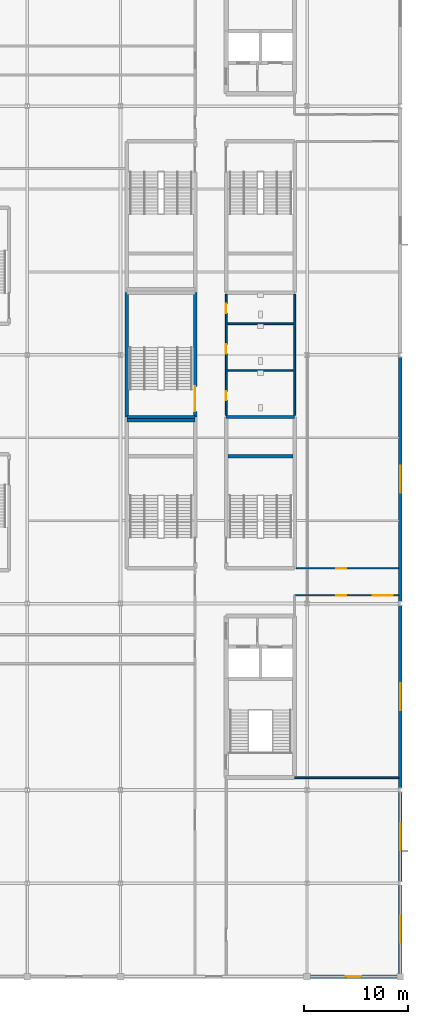
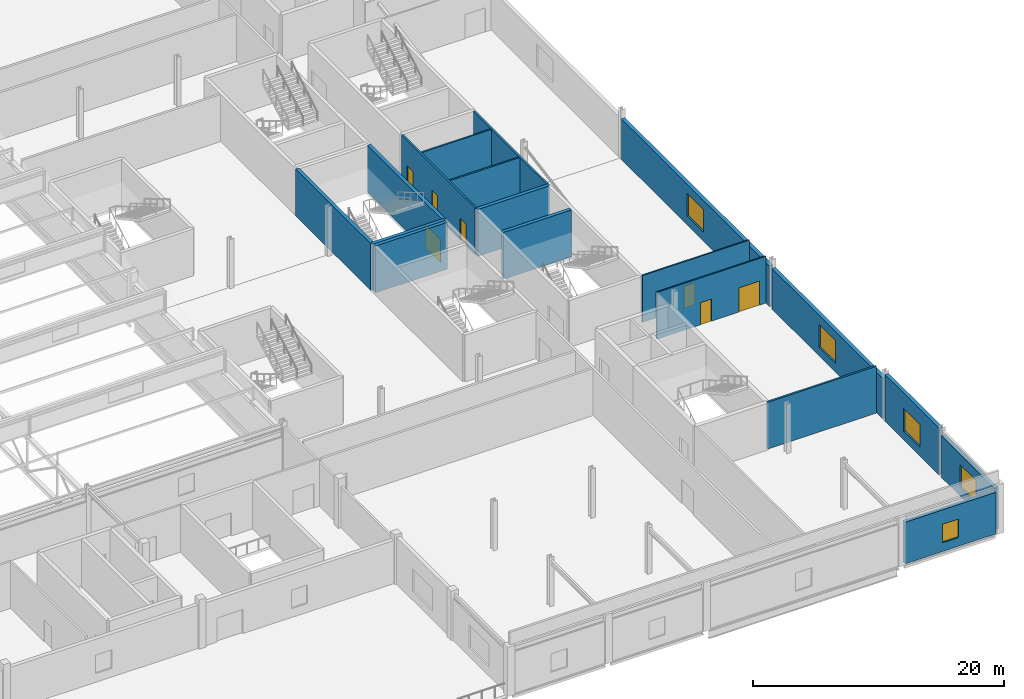
# One storey, part 105 of 136: 18 walls, 7 doors, 5 windows, 12 openings.
"""IFC4 building model written with IfcOpenShell, lengths in metres."""

from ifc_helpers import new_model, si_unit, direction, frame, frame_2d, origin, place, context, subcontext, project, spatial, rectangle, extrude, material, layer, layer_set, type_object, element, fill, save


model = new_model("IFC4")

# Units and contexts
model_context = context("Model", 3, precision=1e-05, world=origin(), true_north=direction((0.0, 1.0)))
body_context = subcontext(model_context, "Body", "Model", "MODEL_VIEW")
ifc_project = project(units=[si_unit("LENGTHUNIT", "METRE"), si_unit("AREAUNIT", "SQUARE_METRE"), si_unit("VOLUMEUNIT", "CUBIC_METRE"), si_unit("PLANEANGLEUNIT", "RADIAN"), si_unit("MASSUNIT", "GRAM", prefix="KILO")], contexts=[model_context])

# Site, building, storey
site_placement = place(None, origin())
site = spatial("IfcSite", under=ifc_project, at=site_placement, CompositionType="ELEMENT")
building_placement = place(site_placement, origin())
building = spatial("IfcBuilding", under=site, at=building_placement, Name="Kisiwana Market Hall", CompositionType="ELEMENT")
storey_placement = place(building_placement, frame((0.0, 0.0, 16.800048828125)))
storey = spatial("IfcBuildingStorey", under=building, at=storey_placement, Name="L03", CompositionType="ELEMENT", Elevation=16.800048828125)

# Walls
ifc_material_1 = material(Name="Concrete C40/50", Category="concrete")
ifc_layer_1 = layer(ifc_material_1, 0.320068359375, Name="Reinforced concrete shaft wall")
ifc_layer_set_1 = layer_set([ifc_layer_1], Name="WL-CORE-320")
wall_type_1 = type_object("IfcWallType", Name="WL-CORE-320", PredefinedType="SHEAR", material=ifc_layer_set_1)
wall_1_placement = place(storey_placement, frame((181.199951171875, 54.0, 0.0), z_axis=(0.0, 0.0, 1.0), x_axis=(1.0, 0.0, 0.0)))
element("IfcWall", 1, at=wall_1_placement, inside=storey, type_object=wall_type_1, Name="Core E3 north shear wall W-1253", PredefinedType="SHEAR", context=body_context, shape_type="SweptSolid", body=[
    extrude(rectangle(XDim=6.60009765625, YDim=0.320068359375, at=frame_2d((3.300048828125, 0.0))), origin(), (0.0, 0.0, 1.0), 4.554931640625),
])
wall_2_placement = place(storey_placement, frame((181.360107421875, 50.219970703125, 0.0), z_axis=(0.0, 0.0, 1.0), x_axis=(1.0, 0.0, 0.0)))
element("IfcWall", 2, at=wall_2_placement, inside=storey, type_object=wall_type_1, Name="Core E3 riser divider shear wall W-1256", PredefinedType="SHEAR", context=body_context, shape_type="SweptSolid", body=[
    extrude(rectangle(XDim=6.27978515625, YDim=0.320068359375, at=frame_2d((3.139892578125, 0.0))), origin(), (0.0, 0.0, 1.0), 4.554931640625),
])
for number, where, z_axis, x_axis, name in (
    (3, (171.60009765625, 54.0, 0.0), (0.0, 0.0, 1.0), (1.0, 0.0, 0.0), "Core E7 north shear wall W-1268"),
    (4, (171.60009765625, 53.679931640625, 0.0), (0.0, 0.0, 1.0), (1.0, 0.0, 0.0), "Core E5 south shear wall W-1302"),
):
    element("IfcWall", number, at=place(storey_placement, frame(where, z_axis=z_axis, x_axis=x_axis)), inside=storey, type_object=wall_type_1, Name=name, PredefinedType="SHEAR", context=body_context, shape_type="SweptSolid", body=[
        extrude(rectangle(XDim=6.599853515625, YDim=0.320068359375, at=frame_2d((3.2998046875, 0.0))), origin(), (0.0, 0.0, 1.0), 4.554931640625),
    ])
wall_3_placement = place(storey_placement, frame((171.60009765625, 54.0, 0.0), z_axis=(0.0, 0.0, 1.0), x_axis=(0.0, 1.0, 0.0)))
element("IfcWall", 5, at=wall_3_placement, inside=storey, type_object=wall_type_1, Name="Core E5 outer shear wall W-1304", PredefinedType="SHEAR", context=body_context, shape_type="SweptSolid", body=[
    extrude(rectangle(XDim=12.0, YDim=0.320068359375, at=frame_2d((6.0, 0.0))), origin(), (0.0, 0.0, 1.0), 4.554931640625),
])

# Wall, opening, door
wall_4_placement = place(storey_placement, frame((178.199951171875, 54.0, 0.0), z_axis=(0.0, 0.0, 1.0), x_axis=(0.0, 1.0, 0.0)))
wall_4 = element("IfcWall", 6, at=wall_4_placement, inside=storey, type_object=wall_type_1, Name="Core E5 corridor shear wall W-1305", PredefinedType="SHEAR", context=body_context, shape_type="SweptSolid", body=[
    extrude(rectangle(XDim=12.0, YDim=0.320068359375, at=frame_2d((6.0, 0.0))), origin(), (0.0, 0.0, 1.0), 4.554931640625),
])
opening_1_placement = place(wall_4_placement, frame((0.550048828125, 0.0, 0.0)))
opening_1 = element("IfcOpeningElement", 7, at=opening_1_placement, cuts=wall_4, Name="Opening DR-L03-032", PredefinedType="OPENING", context=body_context, shape_type="SweptSolid", body=[
    extrude(rectangle(XDim=2.39990234375, YDim=2.25, at=frame_2d((1.199951171875, 1.125))), frame((0.0, 0.171875, 0.0), z_axis=(0.0, -1.0, 0.0), x_axis=(1.0, 0.0, 0.0)), (0.0, 0.0, 1.0), 0.343994140625),
])
ifc_material_2 = material(Name="Steel S275", Category="steel")
door_type_1 = type_object("IfcDoorType", Name="DR-STAIR-FD120-2400", OperationType="DOUBLE_DOOR_SINGLE_SWING", PredefinedType="DOOR", material=ifc_material_2)
door_1_placement = place(opening_1_placement, origin())
door_1 = element("IfcDoor", 8, at=door_1_placement, inside=storey, type_object=door_type_1, Name="Escape Stair E5 Fire Door (L03)", OperationType="DOUBLE_DOOR_SINGLE_SWING", OverallHeight=2.25, OverallWidth=2.39990234375, PredefinedType="DOOR", context=body_context, shape_type="SweptSolid", body=[
    extrude(rectangle(XDim=2.39990234375, YDim=2.25, at=frame_2d((1.199951171875, 1.125))), frame((0.0, 0.02490234375, 0.0), z_axis=(0.0, -1.0, 0.0), x_axis=(1.0, 0.0, 0.0)), (0.0, 0.0, 1.0), 0.050048828125),
])
fill(opening_1, door_1)

# Wall
ifc_material_3 = material(Name="Masonry blockwork", Category="masonry")
ifc_layer_2 = layer(ifc_material_3, 0.169921875, Name="Protected corridor partition")
ifc_layer_set_2 = layer_set([ifc_layer_2], Name="WL-CORR-170")
wall_type_2 = type_object("IfcWallType", Name="WL-CORR-170", PredefinedType="PARTITIONING", material=ifc_layer_set_2)
wall_5_placement = place(storey_placement, frame((187.800048828125, 54.159912109375, 0.0), z_axis=(0.0, 0.0, 1.0), x_axis=(0.0, 1.0, 0.0)))
element("IfcWall", 9, at=wall_5_placement, inside=storey, type_object=wall_type_2, Name="Interior partition W-1467", PredefinedType="PARTITIONING", context=body_context, shape_type="SweptSolid", body=[
    extrude(rectangle(XDim=11.68017578125, YDim=0.169921875, at=frame_2d((5.840087890625, 0.0))), origin(), (0.0, 0.0, 1.0), 4.554931640625),
])

# Wall, openings, doors
wall_6_placement = place(storey_placement, frame((181.199951171875, 54.159912109375, 0.0), z_axis=(0.0, 0.0, 1.0), x_axis=(0.0, 1.0, 0.0)))
wall_6 = element("IfcWall", 10, at=wall_6_placement, inside=storey, type_object=wall_type_2, Name="Interior partition W-1468", PredefinedType="PARTITIONING", context=body_context, shape_type="SweptSolid", body=[
    extrude(rectangle(XDim=11.68017578125, YDim=0.169921875, at=frame_2d((5.840087890625, 0.0))), origin(), (0.0, 0.0, 1.0), 4.554931640625),
])
opening_2_placement = place(wall_6_placement, frame((1.43994140625, 0.0, 0.0)))
opening_2 = element("IfcOpeningElement", 11, at=opening_2_placement, cuts=wall_6, Name="Opening DR-L03-064", PredefinedType="OPENING", context=body_context, shape_type="SweptSolid", body=[
    extrude(rectangle(XDim=0.89990234375, YDim=2.10009765625, at=frame_2d((0.449951171875, 1.050048828125))), frame((0.0, 0.096923828125, 0.0), z_axis=(0.0, -1.0, 0.0), x_axis=(1.0, 0.0, 0.0)), (0.0, 0.0, 1.0), 0.19384765625),
])
opening_3_placement = place(wall_6_placement, frame((5.93994140625, 0.0, 0.0)))
opening_3 = element("IfcOpeningElement", 12, at=opening_3_placement, cuts=wall_6, Name="Opening DR-L03-065", PredefinedType="OPENING", context=body_context, shape_type="SweptSolid", body=[
    extrude(rectangle(XDim=0.89990234375, YDim=2.10009765625, at=frame_2d((0.449951171875, 1.050048828125))), frame((0.0, 0.096923828125, 0.0), z_axis=(0.0, -1.0, 0.0), x_axis=(1.0, 0.0, 0.0)), (0.0, 0.0, 1.0), 0.19384765625),
])
opening_4_placement = place(wall_6_placement, frame((9.840087890625, 0.0, 0.0)))
opening_4 = element("IfcOpeningElement", 13, at=opening_4_placement, cuts=wall_6, Name="Opening DR-L03-066", PredefinedType="OPENING", context=body_context, shape_type="SweptSolid", body=[
    extrude(rectangle(XDim=0.949951171875, YDim=2.10009765625, at=frame_2d((0.47509765625, 1.050048828125))), frame((0.0, 0.096923828125, 0.0), z_axis=(0.0, -1.0, 0.0), x_axis=(1.0, 0.0, 0.0)), (0.0, 0.0, 1.0), 0.19384765625),
])
ifc_material_4 = material(Name="Aluminium alloy 6063-T6", Category="aluminium")
door_type_2 = type_object("IfcDoorType", Name="DR-WC-ACC-950", OperationType="NOTDEFINED", PredefinedType="DOOR", material=ifc_material_4)
door_2_placement = place(opening_4_placement, frame((0.949951171875, 0.0, 0.0), z_axis=(0.0, 0.0, 1.0), x_axis=(-1.0, 0.0, 0.0)))
door_2 = element("IfcDoor", 14, at=door_2_placement, inside=storey, type_object=door_type_2, Name="L03 E Accessible WC Door", OperationType="SINGLE_SWING_LEFT", OverallHeight=2.10009765625, OverallWidth=0.949951171875, PredefinedType="DOOR", context=body_context, shape_type="SweptSolid", body=[
    extrude(rectangle(XDim=0.949951171875, YDim=2.10009765625, at=frame_2d((0.47509765625, 1.050048828125))), frame((0.0, 0.02490234375, 0.0), z_axis=(0.0, -1.0, 0.0), x_axis=(1.0, 0.0, 0.0)), (0.0, 0.0, 1.0), 0.050048828125),
])
fill(opening_4, door_2)
ifc_material_5 = material(Name="Aluminium alloy 6063-T6", Category="aluminium")
door_type_3 = type_object("IfcDoorType", Name="DR-WC-STD-900", OperationType="NOTDEFINED", PredefinedType="DOOR", material=ifc_material_5)
door_3_placement = place(opening_2_placement, frame((0.89990234375, 0.0, 0.0), z_axis=(0.0, 0.0, 1.0), x_axis=(-1.0, 0.0, 0.0)))
door_3 = element("IfcDoor", 15, at=door_3_placement, inside=storey, type_object=door_type_3, Name="L03 E Male Toilet Door", OperationType="SINGLE_SWING_RIGHT", OverallHeight=2.10009765625, OverallWidth=0.89990234375, PredefinedType="DOOR", context=body_context, shape_type="SweptSolid", body=[
    extrude(rectangle(XDim=0.89990234375, YDim=2.10009765625, at=frame_2d((0.449951171875, 1.050048828125))), frame((0.0, 0.02490234375, 0.0), z_axis=(0.0, -1.0, 0.0), x_axis=(1.0, 0.0, 0.0)), (0.0, 0.0, 1.0), 0.050048828125),
])
fill(opening_2, door_3)
door_4_placement = place(opening_3_placement, frame((0.89990234375, 0.0, 0.0), z_axis=(0.0, 0.0, 1.0), x_axis=(-1.0, 0.0, 0.0)))
door_4 = element("IfcDoor", 16, at=door_4_placement, inside=storey, type_object=door_type_3, Name="L03 E Female Toilet Door", OperationType="SINGLE_SWING_LEFT", OverallHeight=2.10009765625, OverallWidth=0.89990234375, PredefinedType="DOOR", context=body_context, shape_type="SweptSolid", body=[
    extrude(rectangle(XDim=0.89990234375, YDim=2.10009765625, at=frame_2d((0.449951171875, 1.050048828125))), frame((0.0, 0.02490234375, 0.0), z_axis=(0.0, -1.0, 0.0), x_axis=(1.0, 0.0, 0.0)), (0.0, 0.0, 1.0), 0.050048828125),
])
fill(opening_3, door_4)

# Wall
wall_7_placement = place(storey_placement, frame((187.800048828125, 19.199951171875, 0.0), z_axis=(0.0, 0.0, 1.0), x_axis=(1.0, 0.0, 0.0)))
element("IfcWall", 17, at=wall_7_placement, inside=storey, type_object=wall_type_2, Name="Interior partition W-1473", PredefinedType="PARTITIONING", context=body_context, shape_type="SweptSolid", body=[
    extrude(rectangle(XDim=10.030029296875, YDim=0.169921875, at=frame_2d((5.01513671875, 0.0))), origin(), (0.0, 0.0, 1.0), 4.554931640625),
])

# Wall, opening, window
ifc_material_6 = material(Name="Concrete C40/50 precast", Category="concrete")
ifc_layer_3 = layer(ifc_material_6, 0.14990234375, Name="Precast architectural concrete spandrel")
ifc_material_7 = material(Name="Mineral wool insulation")
ifc_layer_4 = layer(ifc_material_7, 0.090087890625, Name="Rockwool thermal insulation")
ifc_material_8 = material(Name="Masonry blockwork", Category="masonry")
ifc_layer_5 = layer(ifc_material_8, 0.10009765625, Name="Inner masonry block leaf")
ifc_layer_set_3 = layer_set([ifc_layer_3, ifc_layer_4, ifc_layer_5], Name="WL-EXT-PREC-340")
wall_type_3 = type_object("IfcWallType", Name="WL-EXT-PREC-340", PredefinedType="STANDARD", material=ifc_layer_set_3)
wall_8_placement = place(storey_placement, frame((189.31689453125, 0.0, 0.0), z_axis=(0.0, 0.0, 1.0), x_axis=(1.0, 0.0, 0.0)))
wall_8 = element("IfcWall", 18, at=wall_8_placement, inside=storey, type_object=wall_type_3, Name="Exterior wall W-1345", PredefinedType="STANDARD", context=body_context, shape_type="SweptSolid", body=[
    extrude(rectangle(XDim=8.3662109375, YDim=0.340087890625, at=frame_2d((4.18310546875, 0.0))), origin(), (0.0, 0.0, 1.0), 4.0478515625),
])
opening_5_placement = place(wall_8_placement, frame((3.43310546875, 0.0, 0.85009765625)))
opening_5 = element("IfcOpeningElement", 19, at=opening_5_placement, cuts=wall_8, Name="Opening WN-14", PredefinedType="OPENING", context=body_context, shape_type="SweptSolid", body=[
    extrude(rectangle(XDim=1.5, YDim=1.800048828125, at=frame_2d((0.75, 0.89990234375))), frame((0.0, 0.18212890625, 0.0), z_axis=(0.0, -1.0, 0.0), x_axis=(1.0, 0.0, 0.0)), (0.0, 0.0, 1.0), 0.364013671875),
])
ifc_material_9 = material(Name="Double-glazed solar-control low-E IGU", Category="glass")
window_type_1 = type_object("IfcWindowType", Name="WN-POD-1500x1800", PartitioningType="SINGLE_PANEL", PredefinedType="WINDOW", material=ifc_material_9)
window_1_placement = place(opening_5_placement, origin())
window_1 = element("IfcWindow", 20, at=window_1_placement, inside=storey, type_object=window_type_1, Name="Exterior window WN-077", OverallHeight=1.800048828125, OverallWidth=1.5, PartitioningType="SINGLE_PANEL", PredefinedType="WINDOW", context=body_context, shape_type="SweptSolid", body=[
    extrude(rectangle(XDim=1.5, YDim=1.800048828125, at=frame_2d((0.75, 0.89990234375))), frame((0.0, 0.030029296875, 0.0), z_axis=(0.0, -1.0, 0.0), x_axis=(1.0, 0.0, 0.0)), (0.0, 0.0, 1.0), 0.06005859375),
])
fill(opening_5, window_1)

wall_9_placement = place(storey_placement, frame((198.0, 0.31689453125, 0.0), z_axis=(0.0, 0.0, 1.0), x_axis=(0.0, 1.0, 0.0)))
wall_9 = element("IfcWall", 21, at=wall_9_placement, inside=storey, type_object=wall_type_3, Name="Exterior wall W-1402", PredefinedType="STANDARD", context=body_context, shape_type="SweptSolid", body=[
    extrude(rectangle(XDim=8.49462890625, YDim=0.340087890625, at=frame_2d((4.247314453125, 0.0))), origin(), (0.0, 0.0, 1.0), 4.0478515625),
])
opening_6_placement = place(wall_9_placement, frame((2.947265625, 0.0, 0.85009765625)))
opening_6 = element("IfcOpeningElement", 22, at=opening_6_placement, cuts=wall_9, Name="Opening WN-16", PredefinedType="OPENING", context=body_context, shape_type="SweptSolid", body=[
    extrude(rectangle(XDim=2.60009765625, YDim=2.199951171875, at=frame_2d((1.300048828125, 1.10009765625))), frame((0.0, 0.18212890625, 0.0), z_axis=(0.0, -1.0, 0.0), x_axis=(1.0, 0.0, 0.0)), (0.0, 0.0, 1.0), 0.364013671875),
])
ifc_material_10 = material(Name="Double-glazed solar-control low-E IGU", Category="glass")
window_type_2 = type_object("IfcWindowType", Name="WN-EXH-2600x2200", PartitioningType="SINGLE_PANEL", PredefinedType="WINDOW", material=ifc_material_10)
window_2_placement = place(opening_6_placement, origin())
window_2 = element("IfcWindow", 23, at=window_2_placement, inside=storey, type_object=window_type_2, Name="Exterior window WN-116", OverallHeight=2.199951171875, OverallWidth=2.60009765625, PartitioningType="SINGLE_PANEL", PredefinedType="WINDOW", context=body_context, shape_type="SweptSolid", body=[
    extrude(rectangle(XDim=2.60009765625, YDim=2.199951171875, at=frame_2d((1.300048828125, 1.10009765625))), frame((0.0, 0.030029296875, 0.0), z_axis=(0.0, -1.0, 0.0), x_axis=(1.0, 0.0, 0.0)), (0.0, 0.0, 1.0), 0.06005859375),
])
fill(opening_6, window_2)

wall_10_placement = place(storey_placement, frame((198.0, 9.1884765625, 0.0), z_axis=(0.0, 0.0, 1.0), x_axis=(0.0, 1.0, 0.0)))
wall_10 = element("IfcWall", 24, at=wall_10_placement, inside=storey, type_object=wall_type_3, Name="Exterior wall W-1403", PredefinedType="STANDARD", context=body_context, shape_type="SweptSolid", body=[
    extrude(rectangle(XDim=8.617431640625, YDim=0.340087890625, at=frame_2d((4.30859375, 0.0))), origin(), (0.0, 0.0, 1.0), 4.554931640625),
])
opening_7_placement = place(wall_10_placement, frame((3.0087890625, 0.0, 0.85009765625)))
opening_7 = element("IfcOpeningElement", 25, at=opening_7_placement, cuts=wall_10, Name="Opening WN-16", PredefinedType="OPENING", context=body_context, shape_type="SweptSolid", body=[
    extrude(rectangle(XDim=2.60009765625, YDim=2.199951171875, at=frame_2d((1.300048828125, 1.10009765625))), frame((0.0, 0.18212890625, 0.0), z_axis=(0.0, -1.0, 0.0), x_axis=(1.0, 0.0, 0.0)), (0.0, 0.0, 1.0), 0.364013671875),
])
window_3_placement = place(opening_7_placement, origin())
window_3 = element("IfcWindow", 26, at=window_3_placement, inside=storey, type_object=window_type_2, Name="Exterior window WN-117", OverallHeight=2.199951171875, OverallWidth=2.60009765625, PartitioningType="SINGLE_PANEL", PredefinedType="WINDOW", context=body_context, shape_type="SweptSolid", body=[
    extrude(rectangle(XDim=2.60009765625, YDim=2.199951171875, at=frame_2d((1.300048828125, 1.10009765625))), frame((0.0, 0.030029296875, 0.0), z_axis=(0.0, -1.0, 0.0), x_axis=(1.0, 0.0, 0.0)), (0.0, 0.0, 1.0), 0.06005859375),
])
fill(opening_7, window_3)

wall_11_placement = place(storey_placement, frame((198.0, 18.194091796875, 0.0), z_axis=(0.0, 0.0, 1.0), x_axis=(0.0, 1.0, 0.0)))
wall_11 = element("IfcWall", 27, at=wall_11_placement, inside=storey, type_object=wall_type_3, Name="Exterior wall W-1404", PredefinedType="STANDARD", context=body_context, shape_type="SweptSolid", body=[
    extrude(rectangle(XDim=17.61181640625, YDim=0.340087890625, at=frame_2d((8.805908203125, 0.0))), origin(), (0.0, 0.0, 1.0), 3.94287109375),
])
opening_8_placement = place(wall_11_placement, frame((7.506103515625, 0.0, 0.85009765625)))
opening_8 = element("IfcOpeningElement", 28, at=opening_8_placement, cuts=wall_11, Name="Opening WN-16", PredefinedType="OPENING", context=body_context, shape_type="SweptSolid", body=[
    extrude(rectangle(XDim=2.60009765625, YDim=2.199951171875, at=frame_2d((1.300048828125, 1.10009765625))), frame((0.0, 0.18212890625, 0.0), z_axis=(0.0, -1.0, 0.0), x_axis=(1.0, 0.0, 0.0)), (0.0, 0.0, 1.0), 0.364013671875),
])
window_4_placement = place(opening_8_placement, origin())
window_4 = element("IfcWindow", 29, at=window_4_placement, inside=storey, type_object=window_type_2, Name="Exterior window WN-118", OverallHeight=2.199951171875, OverallWidth=2.60009765625, PartitioningType="SINGLE_PANEL", PredefinedType="WINDOW", context=body_context, shape_type="SweptSolid", body=[
    extrude(rectangle(XDim=2.60009765625, YDim=2.199951171875, at=frame_2d((1.300048828125, 1.10009765625))), frame((0.0, 0.030029296875, 0.0), z_axis=(0.0, -1.0, 0.0), x_axis=(1.0, 0.0, 0.0)), (0.0, 0.0, 1.0), 0.06005859375),
])
fill(opening_8, window_4)

wall_12_placement = place(storey_placement, frame((198.0, 36.194091796875, 0.0), z_axis=(0.0, 0.0, 1.0), x_axis=(0.0, 1.0, 0.0)))
wall_12 = element("IfcWall", 30, at=wall_12_placement, inside=storey, type_object=wall_type_3, Name="Exterior wall W-1405", PredefinedType="STANDARD", context=body_context, shape_type="SweptSolid", body=[
    extrude(rectangle(XDim=23.61181640625, YDim=0.340087890625, at=frame_2d((11.805908203125, 0.0))), origin(), (0.0, 0.0, 1.0), 3.94287109375),
])
opening_9_placement = place(wall_12_placement, frame((10.506103515625, 0.0, 0.85009765625)))
opening_9 = element("IfcOpeningElement", 31, at=opening_9_placement, cuts=wall_12, Name="Opening WN-16", PredefinedType="OPENING", context=body_context, shape_type="SweptSolid", body=[
    extrude(rectangle(XDim=2.60009765625, YDim=2.199951171875, at=frame_2d((1.300048828125, 1.10009765625))), frame((0.0, 0.18212890625, 0.0), z_axis=(0.0, -1.0, 0.0), x_axis=(1.0, 0.0, 0.0)), (0.0, 0.0, 1.0), 0.364013671875),
])
window_5_placement = place(opening_9_placement, origin())
window_5 = element("IfcWindow", 32, at=window_5_placement, inside=storey, type_object=window_type_2, Name="Exterior window WN-119", OverallHeight=2.199951171875, OverallWidth=2.60009765625, PartitioningType="SINGLE_PANEL", PredefinedType="WINDOW", context=body_context, shape_type="SweptSolid", body=[
    extrude(rectangle(XDim=2.60009765625, YDim=2.199951171875, at=frame_2d((1.300048828125, 1.10009765625))), frame((0.0, 0.030029296875, 0.0), z_axis=(0.0, -1.0, 0.0), x_axis=(1.0, 0.0, 0.0)), (0.0, 0.0, 1.0), 0.06005859375),
])
fill(opening_9, window_5)

# Wall, openings, doors
ifc_material_11 = material(Name="Gypsum plasterboard")
ifc_layer_6 = layer(ifc_material_11, 0.125, Name="Double gypsum board + acoustic stud")
ifc_layer_set_4 = layer_set([ifc_layer_6], Name="WL-OFF-125")
wall_type_4 = type_object("IfcWallType", Name="WL-OFF-125", PredefinedType="PARTITIONING", material=ifc_layer_set_4)
wall_13_placement = place(storey_placement, frame((187.800048828125, 36.800048828125, 0.0), z_axis=(0.0, 0.0, 1.0), x_axis=(1.0, 0.0, 0.0)))
wall_13 = element("IfcWall", 33, at=wall_13_placement, inside=storey, type_object=wall_type_4, Name="Interior partition W-1475", PredefinedType="PARTITIONING", context=body_context, shape_type="SweptSolid", body=[
    extrude(rectangle(XDim=10.030029296875, YDim=0.125, at=frame_2d((5.01513671875, 0.0))), origin(), (0.0, 0.0, 1.0), 4.554931640625),
])
opening_10_placement = place(wall_13_placement, frame((4.0, 0.0, 0.0)))
opening_10 = element("IfcOpeningElement", 34, at=opening_10_placement, cuts=wall_13, Name="Opening DR-L03-067", PredefinedType="OPENING", context=body_context, shape_type="SweptSolid", body=[
    extrude(rectangle(XDim=1.0, YDim=2.14990234375, at=frame_2d((0.5, 1.074951171875))), frame((0.0, 0.074462890625, 0.0), z_axis=(0.0, -1.0, 0.0), x_axis=(1.0, 0.0, 0.0)), (0.0, 0.0, 1.0), 0.14892578125),
])
opening_11_placement = place(wall_13_placement, frame((7.550048828125, 0.0, 0.0)))
opening_11 = element("IfcOpeningElement", 35, at=opening_11_placement, cuts=wall_13, Name="Opening DR-L03-068", PredefinedType="OPENING", context=body_context, shape_type="SweptSolid", body=[
    extrude(rectangle(XDim=1.89990234375, YDim=2.35009765625, at=frame_2d((0.949951171875, 1.175048828125))), frame((0.0, 0.074462890625, 0.0), z_axis=(0.0, -1.0, 0.0), x_axis=(1.0, 0.0, 0.0)), (0.0, 0.0, 1.0), 0.14892578125),
])
ifc_material_12 = material(Name="Steel S275", Category="steel")
door_type_4 = type_object("IfcDoorType", Name="DR-HALL-1900", OperationType="DOUBLE_DOOR_SINGLE_SWING", PredefinedType="DOOR", material=ifc_material_12)
door_5_placement = place(opening_11_placement, frame((1.89990234375, 0.0, 0.0), z_axis=(0.0, 0.0, 1.0), x_axis=(-1.0, 0.0, 0.0)))
door_5 = element("IfcDoor", 36, at=door_5_placement, inside=storey, type_object=door_type_4, Name="L03 E Civic Seminar Suite South Exit Door", OperationType="DOUBLE_DOOR_SINGLE_SWING", OverallHeight=2.35009765625, OverallWidth=1.89990234375, PredefinedType="DOOR", context=body_context, shape_type="SweptSolid", body=[
    extrude(rectangle(XDim=1.89990234375, YDim=2.35009765625, at=frame_2d((0.949951171875, 1.175048828125))), frame((0.0, 0.02490234375, 0.0), z_axis=(0.0, -1.0, 0.0), x_axis=(1.0, 0.0, 0.0)), (0.0, 0.0, 1.0), 0.050048828125),
])
fill(opening_11, door_5)
ifc_material_13 = material(Name="Aluminium alloy 6063-T6", Category="aluminium")
door_type_5 = type_object("IfcDoorType", Name="DR-OFF-1000", OperationType="NOTDEFINED", PredefinedType="DOOR", material=ifc_material_13)
door_6_placement = place(opening_10_placement, frame((1.0, 0.0, 0.0), z_axis=(0.0, 0.0, 1.0), x_axis=(-1.0, 0.0, 0.0)))
door_6 = element("IfcDoor", 37, at=door_6_placement, inside=storey, type_object=door_type_5, Name="L03 E Civic Seminar Suite South Door", OperationType="SINGLE_SWING_RIGHT", OverallHeight=2.14990234375, OverallWidth=1.0, PredefinedType="DOOR", context=body_context, shape_type="SweptSolid", body=[
    extrude(rectangle(XDim=1.0, YDim=2.14990234375, at=frame_2d((0.5, 1.074951171875))), frame((0.0, 0.02490234375, 0.0), z_axis=(0.0, -1.0, 0.0), x_axis=(1.0, 0.0, 0.0)), (0.0, 0.0, 1.0), 0.050048828125),
])
fill(opening_10, door_6)

# Wall, opening, door
wall_14_placement = place(storey_placement, frame((187.9599609375, 39.39990234375, 0.0), z_axis=(0.0, 0.0, 1.0), x_axis=(1.0, 0.0, 0.0)))
wall_14 = element("IfcWall", 38, at=wall_14_placement, inside=storey, type_object=wall_type_4, Name="Interior partition W-1476", PredefinedType="PARTITIONING", context=body_context, shape_type="SweptSolid", body=[
    extrude(rectangle(XDim=9.8701171875, YDim=0.125, at=frame_2d((4.93505859375, 0.0))), origin(), (0.0, 0.0, 1.0), 4.554931640625),
])
opening_12_placement = place(wall_14_placement, frame((3.840087890625, 0.0, 0.0)))
opening_12 = element("IfcOpeningElement", 39, at=opening_12_placement, cuts=wall_14, Name="Opening DR-L03-069", PredefinedType="OPENING", context=body_context, shape_type="SweptSolid", body=[
    extrude(rectangle(XDim=1.0, YDim=2.14990234375, at=frame_2d((0.5, 1.074951171875))), frame((0.0, 0.074462890625, 0.0), z_axis=(0.0, -1.0, 0.0), x_axis=(1.0, 0.0, 0.0)), (0.0, 0.0, 1.0), 0.14892578125),
])
door_7_placement = place(opening_12_placement, origin())
door_7 = element("IfcDoor", 40, at=door_7_placement, inside=storey, type_object=door_type_5, Name="L03 E Civic Seminar Suite Central Door", OperationType="SINGLE_SWING_LEFT", OverallHeight=2.14990234375, OverallWidth=1.0, PredefinedType="DOOR", context=body_context, shape_type="SweptSolid", body=[
    extrude(rectangle(XDim=1.0, YDim=2.14990234375, at=frame_2d((0.5, 1.074951171875))), frame((0.0, 0.02490234375, 0.0), z_axis=(0.0, -1.0, 0.0), x_axis=(1.0, 0.0, 0.0)), (0.0, 0.0, 1.0), 0.050048828125),
])
fill(opening_12, door_7)

# Walls
ifc_material_14 = material(Name="Masonry blockwork", Category="masonry")
ifc_layer_7 = layer(ifc_material_14, 0.14990234375, Name="Water-resistant sanitary block wall")
ifc_layer_set_5 = layer_set([ifc_layer_7], Name="WL-WET-150")
wall_type_5 = type_object("IfcWallType", Name="WL-WET-150", PredefinedType="PARTITIONING", material=ifc_layer_set_5)
for number, where, z_axis, x_axis, name in (
    (41, (181.284912109375, 58.5, 0.0), (0.0, 0.0, 1.0), (1.0, 0.0, 0.0), "Interior partition W-1469"),
    (42, (181.284912109375, 63.0, 0.0), (0.0, 0.0, 1.0), (1.0, 0.0, 0.0), "Interior partition W-1470"),
):
    element("IfcWall", number, at=place(storey_placement, frame(where, z_axis=z_axis, x_axis=x_axis)), inside=storey, type_object=wall_type_5, Name=name, PredefinedType="PARTITIONING", context=body_context, shape_type="SweptSolid", body=[
        extrude(rectangle(XDim=6.43017578125, YDim=0.14990234375, at=frame_2d((3.215087890625, 0.0))), origin(), (0.0, 0.0, 1.0), 4.554931640625),
    ])

save(model, "model.ifc")
